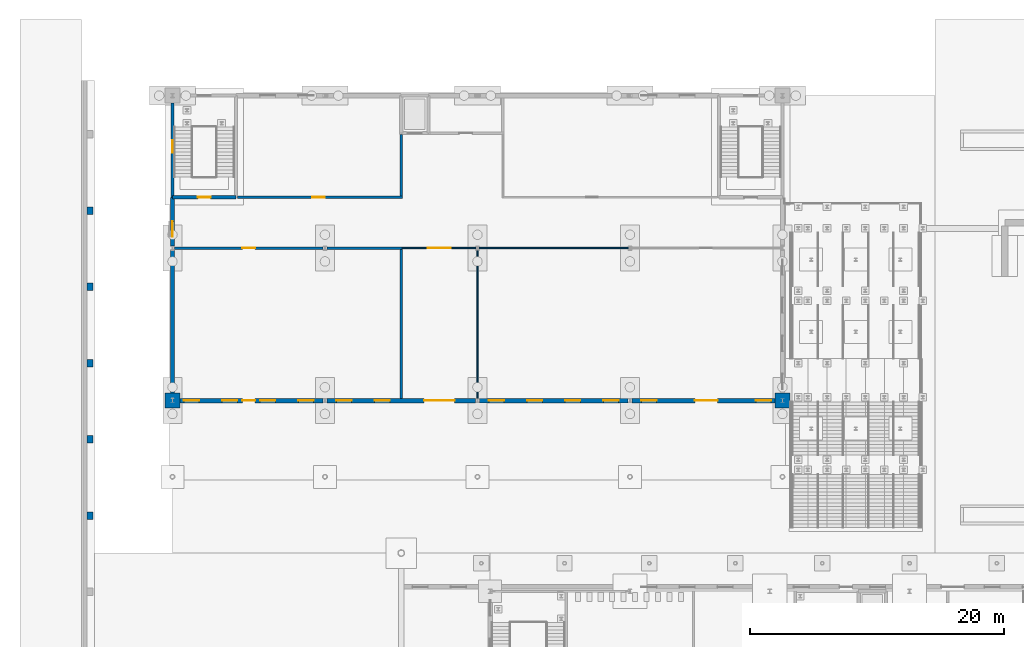
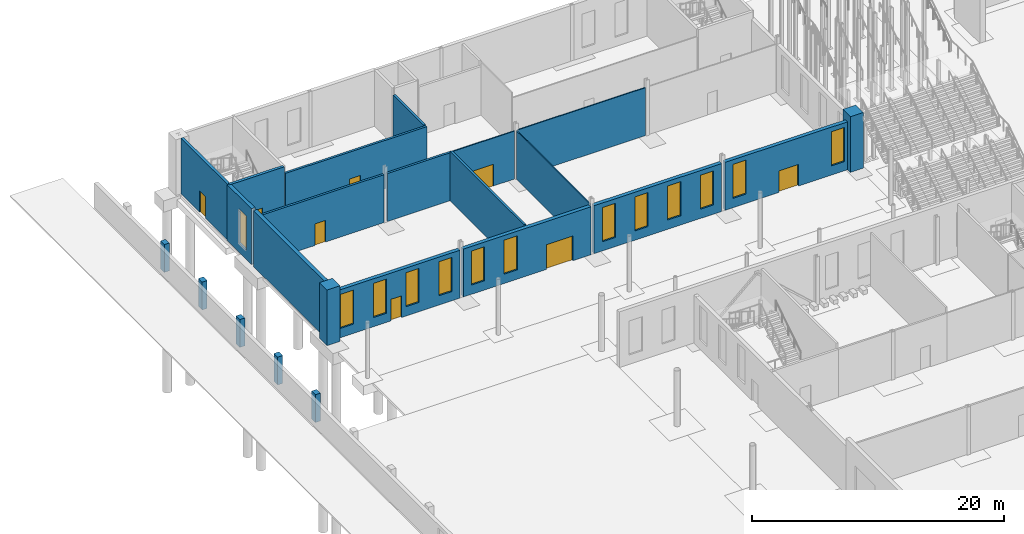
# One storey, part 74 of 132: 23 walls, 13 windows, 8 doors, 21 openings.
"""IFC4 building model written with IfcOpenShell, lengths in metres."""

from ifc_helpers import new_model, si_unit, direction, frame, frame_2d, origin, place, context, subcontext, project, spatial, rectangle, extrude, material, layer, layer_set, type_object, element, fill, save


model = new_model("IFC4")

# Units and contexts
model_context = context("Model", 3, precision=1e-05, world=origin(), true_north=direction((0.0, 1.0)))
body_context = subcontext(model_context, "Body", "Model", "MODEL_VIEW")
ifc_project = project(units=[si_unit("LENGTHUNIT", "METRE"), si_unit("AREAUNIT", "SQUARE_METRE"), si_unit("VOLUMEUNIT", "CUBIC_METRE"), si_unit("PLANEANGLEUNIT", "RADIAN"), si_unit("MASSUNIT", "GRAM", prefix="KILO")], contexts=[model_context])

# Site, building, storey
site_placement = place(None, origin())
site = spatial("IfcSite", under=ifc_project, at=site_placement, CompositionType="ELEMENT")
building_placement = place(site_placement, origin())
building = spatial("IfcBuilding", under=site, at=building_placement, Name="Ravi Spectrum Wholesale Market", CompositionType="ELEMENT")
storey_placement = place(building_placement, origin())
storey = spatial("IfcBuildingStorey", under=building, at=storey_placement, Name="L00", CompositionType="ELEMENT", Elevation=0.0)

# Wall, opening, door
ifc_material_1 = material(Name="Concrete blockwork", Category="masonry")
ifc_layer_1 = layer(ifc_material_1, 0.199951171875)
ifc_layer_set_1 = layer_set([ifc_layer_1], Name="Concrete blockwork")
wall_type_1 = type_object("IfcWallType", Name="Blockwork partition 200 fire", PredefinedType="PARTITIONING", material=ifc_layer_set_1)
wall_1_placement = place(storey_placement, frame((12.14990234375, 222.0, 0.0), z_axis=(0.0, 0.0, 1.0), x_axis=(1.0, 0.0, 0.0)))
wall_1 = element("IfcWall", 1, at=wall_1_placement, inside=storey, type_object=wall_type_1, Name="OF-WL-L00-026", PredefinedType="PARTITIONING", context=body_context, shape_type="SweptSolid", body=[
    extrude(rectangle(XDim=11.7001953125, YDim=0.199951171875, at=frame_2d((5.85009765625, 0.0))), origin(), (0.0, 0.0, 1.0), 4.64990234375),
])
opening_1_placement = place(wall_1_placement, frame((5.35009765625, 0.0, 0.0)))
opening_1 = element("IfcOpeningElement", 2, at=opening_1_placement, cuts=wall_1, Name="Opening D600", PredefinedType="OPENING", context=body_context, shape_type="SweptSolid", body=[
    extrude(rectangle(XDim=1.0, YDim=2.10009765625, at=frame_2d((0.5, 1.050048828125))), frame((0.0, 0.10986328125, 0.0), z_axis=(0.0, -1.0, 0.0), x_axis=(1.0, 0.0, 0.0)), (0.0, 0.0, 1.0), 0.219970703125),
])
ifc_material_2 = material(Name="Steel door", Category="steel")
door_type_1 = type_object("IfcDoorType", Name="Lobby door 1000 x 2100", OperationType="SINGLE_SWING_LEFT", PredefinedType="DOOR", material=ifc_material_2)
door_1_placement = place(opening_1_placement, origin())
door_1 = element("IfcDoor", 3, at=door_1_placement, inside=storey, type_object=door_type_1, Name="Door D600", OperationType="SINGLE_SWING_RIGHT", OverallHeight=2.10009765625, OverallWidth=1.0, PredefinedType="DOOR", context=body_context, shape_type="SweptSolid", body=[
    extrude(rectangle(XDim=1.0, YDim=2.10009765625, at=frame_2d((0.5, 1.050048828125))), frame((0.0, 0.02490234375, 0.0), z_axis=(0.0, -1.0, 0.0), x_axis=(1.0, 0.0, 0.0)), (0.0, 0.0, 1.0), 0.050048828125),
])
fill(opening_1, door_1)

# Wall
wall_2_placement = place(storey_placement, frame((24.14990234375, 222.0, 0.0), z_axis=(0.0, 0.0, 1.0), x_axis=(1.0, 0.0, 0.0)))
element("IfcWall", 4, at=wall_2_placement, inside=storey, type_object=wall_type_1, Name="OF-WL-L00-027", PredefinedType="PARTITIONING", context=body_context, shape_type="SweptSolid", body=[
    extrude(rectangle(XDim=5.9501953125, YDim=0.199951171875, at=frame_2d((2.97509765625, 0.0))), origin(), (0.0, 0.0, 1.0), 4.64990234375),
])

# Wall, opening, door
wall_3_placement = place(storey_placement, frame((17.125, 226.0, 0.0), z_axis=(0.0, 0.0, 1.0), x_axis=(1.0, 0.0, 0.0)))
wall_3 = element("IfcWall", 5, at=wall_3_placement, inside=storey, type_object=wall_type_1, Name="OF-WL-L00-031", PredefinedType="PARTITIONING", context=body_context, shape_type="SweptSolid", body=[
    extrude(rectangle(XDim=12.97509765625, YDim=0.199951171875, at=frame_2d((6.487548828125, 0.0))), origin(), (0.0, 0.0, 1.0), 4.699951171875),
])
opening_2_placement = place(wall_3_placement, frame((5.875, 0.0, 0.0)))
opening_2 = element("IfcOpeningElement", 6, at=opening_2_placement, cuts=wall_3, Name="Opening D606", PredefinedType="OPENING", context=body_context, shape_type="SweptSolid", body=[
    extrude(rectangle(XDim=1.0, YDim=2.10009765625, at=frame_2d((0.5, 1.050048828125))), frame((0.0, 0.10986328125, 0.0), z_axis=(0.0, -1.0, 0.0), x_axis=(1.0, 0.0, 0.0)), (0.0, 0.0, 1.0), 0.219970703125),
])
door_2_placement = place(opening_2_placement, origin())
door_2 = element("IfcDoor", 7, at=door_2_placement, inside=storey, type_object=door_type_1, Name="Door D606", OperationType="SINGLE_SWING_RIGHT", OverallHeight=2.10009765625, OverallWidth=1.0, PredefinedType="DOOR", context=body_context, shape_type="SweptSolid", body=[
    extrude(rectangle(XDim=1.0, YDim=2.10009765625, at=frame_2d((0.5, 1.050048828125))), frame((0.0, 0.02490234375, 0.0), z_axis=(0.0, -1.0, 0.0), x_axis=(1.0, 0.0, 0.0)), (0.0, 0.0, 1.0), 0.050048828125),
])
fill(opening_2, door_2)

# Walls
wall_4_placement = place(storey_placement, frame((30.0, 210.169921875, 0.0), z_axis=(0.0, 0.0, 1.0), x_axis=(0.0, 1.0, 0.0)))
element("IfcWall", 8, at=wall_4_placement, inside=storey, type_object=wall_type_1, Name="OF-WL-L00-034", PredefinedType="PARTITIONING", context=body_context, shape_type="SweptSolid", body=[
    extrude(rectangle(XDim=11.72998046875, YDim=0.199951171875, at=frame_2d((5.864990234375, 0.0))), origin(), (0.0, 0.0, 1.0), 4.7900390625),
])
wall_5_placement = place(storey_placement, frame((30.0, 226.10009765625, 0.0), z_axis=(0.0, 0.0, 1.0), x_axis=(0.0, 1.0, 0.0)))
element("IfcWall", 9, at=wall_5_placement, inside=storey, type_object=wall_type_1, Name="OF-WL-L00-035", PredefinedType="PARTITIONING", context=body_context, shape_type="SweptSolid", body=[
    extrude(rectangle(XDim=4.824951171875, YDim=0.199951171875, at=frame_2d((2.41259765625, 0.0))), origin(), (0.0, 0.0, 1.0), 4.7900390625),
])

# Wall, openings, door, windows
ifc_material_3 = material(Name="Clinker brickwork", Category="masonry")
ifc_layer_2 = layer(ifc_material_3, 0.340087890625)
ifc_layer_set_2 = layer_set([ifc_layer_2], Name="Clinker brickwork")
wall_type_2 = type_object("IfcWallType", Name="Brick 340 clinker", PredefinedType="SOLIDWALL", material=ifc_layer_set_2)
wall_6_placement = place(storey_placement, frame((12.60009765625, 210.0, 0.0), z_axis=(0.0, 0.0, 1.0), x_axis=(1.0, 0.0, 0.0)))
wall_6 = element("IfcWall", 10, at=wall_6_placement, inside=storey, type_object=wall_type_2, Name="OF-WL-L00-009", PredefinedType="SOLIDWALL", context=body_context, shape_type="SweptSolid", body=[
    extrude(rectangle(XDim=11.25, YDim=0.340087890625, at=frame_2d((5.625, 0.0))), origin(), (0.0, 0.0, 1.0), 4.64990234375),
])
opening_3_placement = place(wall_6_placement, frame((0.300048828125, 0.0, 0.89990234375)))
opening_3 = element("IfcOpeningElement", 11, at=opening_3_placement, cuts=wall_6, Name="Opening W3200", PredefinedType="OPENING", context=body_context, shape_type="SweptSolid", body=[
    extrude(rectangle(XDim=1.199951171875, YDim=3.300048828125, at=frame_2d((0.60009765625, 1.64990234375))), frame((0.0, 0.179931640625, 0.0), z_axis=(0.0, -1.0, 0.0), x_axis=(1.0, 0.0, 0.0)), (0.0, 0.0, 1.0), 0.360107421875),
])
opening_4_placement = place(wall_6_placement, frame((3.300048828125, 0.0, 0.89990234375)))
opening_4 = element("IfcOpeningElement", 12, at=opening_4_placement, cuts=wall_6, Name="Opening W3201", PredefinedType="OPENING", context=body_context, shape_type="SweptSolid", body=[
    extrude(rectangle(XDim=1.199951171875, YDim=3.300048828125, at=frame_2d((0.60009765625, 1.64990234375))), frame((0.0, 0.179931640625, 0.0), z_axis=(0.0, -1.0, 0.0), x_axis=(1.0, 0.0, 0.0)), (0.0, 0.0, 1.0), 0.360107421875),
])
opening_5_placement = place(wall_6_placement, frame((6.300048828125, 0.0, 0.89990234375)))
opening_5 = element("IfcOpeningElement", 13, at=opening_5_placement, cuts=wall_6, Name="Opening W3202", PredefinedType="OPENING", context=body_context, shape_type="SweptSolid", body=[
    extrude(rectangle(XDim=1.199951171875, YDim=3.300048828125, at=frame_2d((0.60009765625, 1.64990234375))), frame((0.0, 0.179931640625, 0.0), z_axis=(0.0, -1.0, 0.0), x_axis=(1.0, 0.0, 0.0)), (0.0, 0.0, 1.0), 0.360107421875),
])
opening_6_placement = place(wall_6_placement, frame((9.300048828125, 0.0, 0.89990234375)))
opening_6 = element("IfcOpeningElement", 14, at=opening_6_placement, cuts=wall_6, Name="Opening W3203", PredefinedType="OPENING", context=body_context, shape_type="SweptSolid", body=[
    extrude(rectangle(XDim=1.199951171875, YDim=3.300048828125, at=frame_2d((0.60009765625, 1.64990234375))), frame((0.0, 0.179931640625, 0.0), z_axis=(0.0, -1.0, 0.0), x_axis=(1.0, 0.0, 0.0)), (0.0, 0.0, 1.0), 0.360107421875),
])
opening_7_placement = place(wall_6_placement, frame((5.89990234375, 0.0, 0.0), z_axis=(0.0, 0.0, 1.0), x_axis=(-1.0, 0.0, 0.0)))
opening_7 = element("IfcOpeningElement", 15, at=opening_7_placement, cuts=wall_6, Name="Opening D601", PredefinedType="OPENING", context=body_context, shape_type="SweptSolid", body=[
    extrude(rectangle(XDim=1.0, YDim=2.10009765625, at=frame_2d((0.5, 1.050048828125))), frame((0.0, 0.179931640625, 0.0), z_axis=(0.0, -1.0, 0.0), x_axis=(1.0, 0.0, 0.0)), (0.0, 0.0, 1.0), 0.360107421875),
])
ifc_material_4 = material(Name="Steel door", Category="steel")
door_type_2 = type_object("IfcDoorType", Name="Pedestrian exit door 1000 x 2100", OperationType="SINGLE_SWING_LEFT", PredefinedType="DOOR", material=ifc_material_4)
door_3_placement = place(opening_7_placement, origin())
door_3 = element("IfcDoor", 16, at=door_3_placement, inside=storey, type_object=door_type_2, Name="Door D601", OperationType="SINGLE_SWING_RIGHT", OverallHeight=2.10009765625, OverallWidth=1.0, PredefinedType="DOOR", context=body_context, shape_type="SweptSolid", body=[
    extrude(rectangle(XDim=1.0, YDim=2.10009765625, at=frame_2d((0.5, 1.050048828125))), frame((0.0, 0.02490234375, 0.0), z_axis=(0.0, -1.0, 0.0), x_axis=(1.0, 0.0, 0.0)), (0.0, 0.0, 1.0), 0.050048828125),
])
fill(opening_7, door_3)
ifc_material_5 = material(Name="Steel window frame", Category="steel")
window_type_1 = type_object("IfcWindowType", Name="Tall pier window 1200 x 3300", PartitioningType="SINGLE_PANEL", PredefinedType="WINDOW", material=ifc_material_5)
window_1_placement = place(opening_3_placement, origin())
window_1 = element("IfcWindow", 17, at=window_1_placement, inside=storey, type_object=window_type_1, Name="Window W3200", OverallHeight=3.300048828125, OverallWidth=1.199951171875, PartitioningType="SINGLE_PANEL", PredefinedType="WINDOW", context=body_context, shape_type="SweptSolid", body=[
    extrude(rectangle(XDim=1.199951171875, YDim=3.300048828125, at=frame_2d((0.60009765625, 1.64990234375))), frame((0.0, 0.030029296875, 0.0), z_axis=(0.0, -1.0, 0.0), x_axis=(1.0, 0.0, 0.0)), (0.0, 0.0, 1.0), 0.06005859375),
])
fill(opening_3, window_1)
window_2_placement = place(opening_4_placement, origin())
window_2 = element("IfcWindow", 18, at=window_2_placement, inside=storey, type_object=window_type_1, Name="Window W3201", OverallHeight=3.300048828125, OverallWidth=1.199951171875, PartitioningType="SINGLE_PANEL", PredefinedType="WINDOW", context=body_context, shape_type="SweptSolid", body=[
    extrude(rectangle(XDim=1.199951171875, YDim=3.300048828125, at=frame_2d((0.60009765625, 1.64990234375))), frame((0.0, 0.030029296875, 0.0), z_axis=(0.0, -1.0, 0.0), x_axis=(1.0, 0.0, 0.0)), (0.0, 0.0, 1.0), 0.06005859375),
])
fill(opening_4, window_2)
window_3_placement = place(opening_5_placement, origin())
window_3 = element("IfcWindow", 19, at=window_3_placement, inside=storey, type_object=window_type_1, Name="Window W3202", OverallHeight=3.300048828125, OverallWidth=1.199951171875, PartitioningType="SINGLE_PANEL", PredefinedType="WINDOW", context=body_context, shape_type="SweptSolid", body=[
    extrude(rectangle(XDim=1.199951171875, YDim=3.300048828125, at=frame_2d((0.60009765625, 1.64990234375))), frame((0.0, 0.030029296875, 0.0), z_axis=(0.0, -1.0, 0.0), x_axis=(1.0, 0.0, 0.0)), (0.0, 0.0, 1.0), 0.06005859375),
])
fill(opening_5, window_3)
window_4_placement = place(opening_6_placement, origin())
window_4 = element("IfcWindow", 20, at=window_4_placement, inside=storey, type_object=window_type_1, Name="Window W3203", OverallHeight=3.300048828125, OverallWidth=1.199951171875, PartitioningType="SINGLE_PANEL", PredefinedType="WINDOW", context=body_context, shape_type="SweptSolid", body=[
    extrude(rectangle(XDim=1.199951171875, YDim=3.300048828125, at=frame_2d((0.60009765625, 1.64990234375))), frame((0.0, 0.030029296875, 0.0), z_axis=(0.0, -1.0, 0.0), x_axis=(1.0, 0.0, 0.0)), (0.0, 0.0, 1.0), 0.06005859375),
])
fill(opening_6, window_4)

wall_7_placement = place(storey_placement, frame((24.14990234375, 210.0, 0.0), z_axis=(0.0, 0.0, 1.0), x_axis=(1.0, 0.0, 0.0)))
wall_7 = element("IfcWall", 21, at=wall_7_placement, inside=storey, type_object=wall_type_2, Name="OF-WL-L00-010", PredefinedType="SOLIDWALL", context=body_context, shape_type="SweptSolid", body=[
    extrude(rectangle(XDim=11.7001953125, YDim=0.340087890625, at=frame_2d((5.85009765625, 0.0))), origin(), (0.0, 0.0, 1.0), 4.64990234375),
])
opening_8_placement = place(wall_7_placement, frame((0.75, 0.0, 0.89990234375)))
opening_8 = element("IfcOpeningElement", 22, at=opening_8_placement, cuts=wall_7, Name="Opening W3204", PredefinedType="OPENING", context=body_context, shape_type="SweptSolid", body=[
    extrude(rectangle(XDim=1.199951171875, YDim=3.300048828125, at=frame_2d((0.60009765625, 1.64990234375))), frame((0.0, 0.179931640625, 0.0), z_axis=(0.0, -1.0, 0.0), x_axis=(1.0, 0.0, 0.0)), (0.0, 0.0, 1.0), 0.360107421875),
])
opening_9_placement = place(wall_7_placement, frame((3.75, 0.0, 0.89990234375)))
opening_9 = element("IfcOpeningElement", 23, at=opening_9_placement, cuts=wall_7, Name="Opening W3205", PredefinedType="OPENING", context=body_context, shape_type="SweptSolid", body=[
    extrude(rectangle(XDim=1.199951171875, YDim=3.300048828125, at=frame_2d((0.60009765625, 1.64990234375))), frame((0.0, 0.179931640625, 0.0), z_axis=(0.0, -1.0, 0.0), x_axis=(1.0, 0.0, 0.0)), (0.0, 0.0, 1.0), 0.360107421875),
])
opening_10_placement = place(wall_7_placement, frame((7.64990234375, 0.0, 0.0)))
opening_10 = element("IfcOpeningElement", 24, at=opening_10_placement, cuts=wall_7, Name="Opening D604", PredefinedType="OPENING", context=body_context, shape_type="SweptSolid", body=[
    extrude(rectangle(XDim=2.39990234375, YDim=2.39990234375, at=frame_2d((1.199951171875, 1.199951171875))), frame((0.0, 0.179931640625, 0.0), z_axis=(0.0, -1.0, 0.0), x_axis=(1.0, 0.0, 0.0)), (0.0, 0.0, 1.0), 0.360107421875),
])
ifc_material_6 = material(Name="Aluminium glazed door", Category="aluminium")
door_type_3 = type_object("IfcDoorType", Name="Hall entrance sliding door 2400 x 2400", OperationType="SLIDING_TO_LEFT", PredefinedType="DOOR", material=ifc_material_6)
door_4_placement = place(opening_10_placement, origin())
door_4 = element("IfcDoor", 25, at=door_4_placement, inside=storey, type_object=door_type_3, Name="Door D604", OperationType="SLIDING_TO_LEFT", OverallHeight=2.39990234375, OverallWidth=2.39990234375, PredefinedType="DOOR", context=body_context, shape_type="SweptSolid", body=[
    extrude(rectangle(XDim=2.39990234375, YDim=2.39990234375, at=frame_2d((1.199951171875, 1.199951171875))), frame((0.0, 0.02490234375, 0.0), z_axis=(0.0, -1.0, 0.0), x_axis=(1.0, 0.0, 0.0)), (0.0, 0.0, 1.0), 0.050048828125),
])
fill(opening_10, door_4)
window_5_placement = place(opening_8_placement, origin())
window_5 = element("IfcWindow", 26, at=window_5_placement, inside=storey, type_object=window_type_1, Name="Window W3204", OverallHeight=3.300048828125, OverallWidth=1.199951171875, PartitioningType="SINGLE_PANEL", PredefinedType="WINDOW", context=body_context, shape_type="SweptSolid", body=[
    extrude(rectangle(XDim=1.199951171875, YDim=3.300048828125, at=frame_2d((0.60009765625, 1.64990234375))), frame((0.0, 0.030029296875, 0.0), z_axis=(0.0, -1.0, 0.0), x_axis=(1.0, 0.0, 0.0)), (0.0, 0.0, 1.0), 0.06005859375),
])
fill(opening_8, window_5)
window_6_placement = place(opening_9_placement, origin())
window_6 = element("IfcWindow", 27, at=window_6_placement, inside=storey, type_object=window_type_1, Name="Window W3205", OverallHeight=3.300048828125, OverallWidth=1.199951171875, PartitioningType="SINGLE_PANEL", PredefinedType="WINDOW", context=body_context, shape_type="SweptSolid", body=[
    extrude(rectangle(XDim=1.199951171875, YDim=3.300048828125, at=frame_2d((0.60009765625, 1.64990234375))), frame((0.0, 0.030029296875, 0.0), z_axis=(0.0, -1.0, 0.0), x_axis=(1.0, 0.0, 0.0)), (0.0, 0.0, 1.0), 0.06005859375),
])
fill(opening_9, window_6)

# Wall, openings, windows
wall_8_placement = place(storey_placement, frame((36.14990234375, 210.0, 0.0), z_axis=(0.0, 0.0, 1.0), x_axis=(1.0, 0.0, 0.0)))
wall_8 = element("IfcWall", 28, at=wall_8_placement, inside=storey, type_object=wall_type_2, Name="OF-WL-L00-011", PredefinedType="SOLIDWALL", context=body_context, shape_type="SweptSolid", body=[
    extrude(rectangle(XDim=11.7001953125, YDim=0.340087890625, at=frame_2d((5.85009765625, 0.0))), origin(), (0.0, 0.0, 1.0), 4.64990234375),
])
opening_11_placement = place(wall_8_placement, frame((0.75, 0.0, 0.89990234375)))
opening_11 = element("IfcOpeningElement", 29, at=opening_11_placement, cuts=wall_8, Name="Opening W3206", PredefinedType="OPENING", context=body_context, shape_type="SweptSolid", body=[
    extrude(rectangle(XDim=1.199951171875, YDim=3.300048828125, at=frame_2d((0.60009765625, 1.64990234375))), frame((0.0, 0.179931640625, 0.0), z_axis=(0.0, -1.0, 0.0), x_axis=(1.0, 0.0, 0.0)), (0.0, 0.0, 1.0), 0.360107421875),
])
opening_12_placement = place(wall_8_placement, frame((3.75, 0.0, 0.89990234375)))
opening_12 = element("IfcOpeningElement", 30, at=opening_12_placement, cuts=wall_8, Name="Opening W3207", PredefinedType="OPENING", context=body_context, shape_type="SweptSolid", body=[
    extrude(rectangle(XDim=1.199951171875, YDim=3.300048828125, at=frame_2d((0.60009765625, 1.64990234375))), frame((0.0, 0.179931640625, 0.0), z_axis=(0.0, -1.0, 0.0), x_axis=(1.0, 0.0, 0.0)), (0.0, 0.0, 1.0), 0.360107421875),
])
opening_13_placement = place(wall_8_placement, frame((6.75, 0.0, 0.89990234375)))
opening_13 = element("IfcOpeningElement", 31, at=opening_13_placement, cuts=wall_8, Name="Opening W3208", PredefinedType="OPENING", context=body_context, shape_type="SweptSolid", body=[
    extrude(rectangle(XDim=1.199951171875, YDim=3.300048828125, at=frame_2d((0.60009765625, 1.64990234375))), frame((0.0, 0.179931640625, 0.0), z_axis=(0.0, -1.0, 0.0), x_axis=(1.0, 0.0, 0.0)), (0.0, 0.0, 1.0), 0.360107421875),
])
opening_14_placement = place(wall_8_placement, frame((9.75, 0.0, 0.89990234375)))
opening_14 = element("IfcOpeningElement", 32, at=opening_14_placement, cuts=wall_8, Name="Opening W3209", PredefinedType="OPENING", context=body_context, shape_type="SweptSolid", body=[
    extrude(rectangle(XDim=1.199951171875, YDim=3.300048828125, at=frame_2d((0.60009765625, 1.64990234375))), frame((0.0, 0.179931640625, 0.0), z_axis=(0.0, -1.0, 0.0), x_axis=(1.0, 0.0, 0.0)), (0.0, 0.0, 1.0), 0.360107421875),
])
window_7_placement = place(opening_11_placement, origin())
window_7 = element("IfcWindow", 33, at=window_7_placement, inside=storey, type_object=window_type_1, Name="Window W3206", OverallHeight=3.300048828125, OverallWidth=1.199951171875, PartitioningType="SINGLE_PANEL", PredefinedType="WINDOW", context=body_context, shape_type="SweptSolid", body=[
    extrude(rectangle(XDim=1.199951171875, YDim=3.300048828125, at=frame_2d((0.60009765625, 1.64990234375))), frame((0.0, 0.030029296875, 0.0), z_axis=(0.0, -1.0, 0.0), x_axis=(1.0, 0.0, 0.0)), (0.0, 0.0, 1.0), 0.06005859375),
])
fill(opening_11, window_7)
window_8_placement = place(opening_12_placement, origin())
window_8 = element("IfcWindow", 34, at=window_8_placement, inside=storey, type_object=window_type_1, Name="Window W3207", OverallHeight=3.300048828125, OverallWidth=1.199951171875, PartitioningType="SINGLE_PANEL", PredefinedType="WINDOW", context=body_context, shape_type="SweptSolid", body=[
    extrude(rectangle(XDim=1.199951171875, YDim=3.300048828125, at=frame_2d((0.60009765625, 1.64990234375))), frame((0.0, 0.030029296875, 0.0), z_axis=(0.0, -1.0, 0.0), x_axis=(1.0, 0.0, 0.0)), (0.0, 0.0, 1.0), 0.06005859375),
])
fill(opening_12, window_8)
window_9_placement = place(opening_13_placement, origin())
window_9 = element("IfcWindow", 35, at=window_9_placement, inside=storey, type_object=window_type_1, Name="Window W3208", OverallHeight=3.300048828125, OverallWidth=1.199951171875, PartitioningType="SINGLE_PANEL", PredefinedType="WINDOW", context=body_context, shape_type="SweptSolid", body=[
    extrude(rectangle(XDim=1.199951171875, YDim=3.300048828125, at=frame_2d((0.60009765625, 1.64990234375))), frame((0.0, 0.030029296875, 0.0), z_axis=(0.0, -1.0, 0.0), x_axis=(1.0, 0.0, 0.0)), (0.0, 0.0, 1.0), 0.06005859375),
])
fill(opening_13, window_9)
window_10_placement = place(opening_14_placement, origin())
window_10 = element("IfcWindow", 36, at=window_10_placement, inside=storey, type_object=window_type_1, Name="Window W3209", OverallHeight=3.300048828125, OverallWidth=1.199951171875, PartitioningType="SINGLE_PANEL", PredefinedType="WINDOW", context=body_context, shape_type="SweptSolid", body=[
    extrude(rectangle(XDim=1.199951171875, YDim=3.300048828125, at=frame_2d((0.60009765625, 1.64990234375))), frame((0.0, 0.030029296875, 0.0), z_axis=(0.0, -1.0, 0.0), x_axis=(1.0, 0.0, 0.0)), (0.0, 0.0, 1.0), 0.06005859375),
])
fill(opening_14, window_10)

# Wall, openings, door, windows
wall_9_placement = place(storey_placement, frame((48.14990234375, 210.0, 0.0), z_axis=(0.0, 0.0, 1.0), x_axis=(1.0, 0.0, 0.0)))
wall_9 = element("IfcWall", 37, at=wall_9_placement, inside=storey, type_object=wall_type_2, Name="OF-WL-L00-012", PredefinedType="SOLIDWALL", context=body_context, shape_type="SweptSolid", body=[
    extrude(rectangle(XDim=11.25, YDim=0.340087890625, at=frame_2d((5.625, 0.0))), origin(), (0.0, 0.0, 1.0), 4.64990234375),
])
opening_15_placement = place(wall_9_placement, frame((0.75, 0.0, 0.89990234375)))
opening_15 = element("IfcOpeningElement", 38, at=opening_15_placement, cuts=wall_9, Name="Opening W3210", PredefinedType="OPENING", context=body_context, shape_type="SweptSolid", body=[
    extrude(rectangle(XDim=1.199951171875, YDim=3.300048828125, at=frame_2d((0.60009765625, 1.64990234375))), frame((0.0, 0.179931640625, 0.0), z_axis=(0.0, -1.0, 0.0), x_axis=(1.0, 0.0, 0.0)), (0.0, 0.0, 1.0), 0.360107421875),
])
opening_16_placement = place(wall_9_placement, frame((9.75, 0.0, 0.89990234375)))
opening_16 = element("IfcOpeningElement", 39, at=opening_16_placement, cuts=wall_9, Name="Opening W3211", PredefinedType="OPENING", context=body_context, shape_type="SweptSolid", body=[
    extrude(rectangle(XDim=1.199951171875, YDim=3.300048828125, at=frame_2d((0.60009765625, 1.64990234375))), frame((0.0, 0.179931640625, 0.0), z_axis=(0.0, -1.0, 0.0), x_axis=(1.0, 0.0, 0.0)), (0.0, 0.0, 1.0), 0.360107421875),
])
opening_17_placement = place(wall_9_placement, frame((4.949951171875, 0.0, 0.0)))
opening_17 = element("IfcOpeningElement", 40, at=opening_17_placement, cuts=wall_9, Name="Opening D603", PredefinedType="OPENING", context=body_context, shape_type="SweptSolid", body=[
    extrude(rectangle(XDim=1.800048828125, YDim=2.10009765625, at=frame_2d((0.89990234375, 1.050048828125))), frame((0.0, 0.179931640625, 0.0), z_axis=(0.0, -1.0, 0.0), x_axis=(1.0, 0.0, 0.0)), (0.0, 0.0, 1.0), 0.360107421875),
])
ifc_material_7 = material(Name="Steel door", Category="steel")
door_type_4 = type_object("IfcDoorType", Name="Double leaf door 1800 x 2100", OperationType="DOUBLE_DOOR_SINGLE_SWING", PredefinedType="DOOR", material=ifc_material_7)
door_5_placement = place(opening_17_placement, origin())
door_5 = element("IfcDoor", 41, at=door_5_placement, inside=storey, type_object=door_type_4, Name="Door D603", OperationType="DOUBLE_DOOR_SINGLE_SWING", OverallHeight=2.10009765625, OverallWidth=1.800048828125, PredefinedType="DOOR", context=body_context, shape_type="SweptSolid", body=[
    extrude(rectangle(XDim=1.800048828125, YDim=2.10009765625, at=frame_2d((0.89990234375, 1.050048828125))), frame((0.0, 0.02490234375, 0.0), z_axis=(0.0, -1.0, 0.0), x_axis=(1.0, 0.0, 0.0)), (0.0, 0.0, 1.0), 0.050048828125),
])
fill(opening_17, door_5)
window_11_placement = place(opening_15_placement, origin())
window_11 = element("IfcWindow", 42, at=window_11_placement, inside=storey, type_object=window_type_1, Name="Window W3210", OverallHeight=3.300048828125, OverallWidth=1.199951171875, PartitioningType="SINGLE_PANEL", PredefinedType="WINDOW", context=body_context, shape_type="SweptSolid", body=[
    extrude(rectangle(XDim=1.199951171875, YDim=3.300048828125, at=frame_2d((0.60009765625, 1.64990234375))), frame((0.0, 0.030029296875, 0.0), z_axis=(0.0, -1.0, 0.0), x_axis=(1.0, 0.0, 0.0)), (0.0, 0.0, 1.0), 0.06005859375),
])
fill(opening_15, window_11)
window_12_placement = place(opening_16_placement, origin())
window_12 = element("IfcWindow", 43, at=window_12_placement, inside=storey, type_object=window_type_1, Name="Window W3211", OverallHeight=3.300048828125, OverallWidth=1.199951171875, PartitioningType="SINGLE_PANEL", PredefinedType="WINDOW", context=body_context, shape_type="SweptSolid", body=[
    extrude(rectangle(XDim=1.199951171875, YDim=3.300048828125, at=frame_2d((0.60009765625, 1.64990234375))), frame((0.0, 0.030029296875, 0.0), z_axis=(0.0, -1.0, 0.0), x_axis=(1.0, 0.0, 0.0)), (0.0, 0.0, 1.0), 0.06005859375),
])
fill(opening_16, window_12)

# Wall
wall_10_placement = place(storey_placement, frame((12.0, 210.60009765625, 0.0), z_axis=(0.0, 0.0, 1.0), x_axis=(0.0, 1.0, 0.0)))
element("IfcWall", 44, at=wall_10_placement, inside=storey, type_object=wall_type_2, Name="OF-WL-L00-018", PredefinedType="SOLIDWALL", context=body_context, shape_type="SweptSolid", body=[
    extrude(rectangle(XDim=11.25, YDim=0.340087890625, at=frame_2d((5.625, 0.0))), origin(), (0.0, 0.0, 1.0), 5.39990234375),
])

# Wall, opening, window
wall_11_placement = place(storey_placement, frame((12.0, 222.14990234375, 0.0), z_axis=(0.0, 0.0, 1.0), x_axis=(0.0, 1.0, 0.0)))
wall_11 = element("IfcWall", 45, at=wall_11_placement, inside=storey, type_object=wall_type_2, Name="OF-WL-L00-019", PredefinedType="SOLIDWALL", context=body_context, shape_type="SweptSolid", body=[
    extrude(rectangle(XDim=3.85009765625, YDim=0.340087890625, at=frame_2d((1.925048828125, 0.0))), origin(), (0.0, 0.0, 1.0), 5.39990234375),
])
opening_18_placement = place(wall_11_placement, frame((0.75, 0.0, 0.89990234375)))
opening_18 = element("IfcOpeningElement", 46, at=opening_18_placement, cuts=wall_11, Name="Opening W3216", PredefinedType="OPENING", context=body_context, shape_type="SweptSolid", body=[
    extrude(rectangle(XDim=1.199951171875, YDim=3.300048828125, at=frame_2d((0.60009765625, 1.64990234375))), frame((0.0, 0.179931640625, 0.0), z_axis=(0.0, -1.0, 0.0), x_axis=(1.0, 0.0, 0.0)), (0.0, 0.0, 1.0), 0.360107421875),
])
ifc_material_8 = material(Name="Steel window frame", Category="steel")
window_type_2 = type_object("IfcWindowType", Name="Tall pier window with jali 1200 x 3300", PartitioningType="SINGLE_PANEL", PredefinedType="WINDOW", material=ifc_material_8)
window_13_placement = place(opening_18_placement, origin())
window_13 = element("IfcWindow", 47, at=window_13_placement, inside=storey, type_object=window_type_2, Name="Window W3216", OverallHeight=3.300048828125, OverallWidth=1.199951171875, PartitioningType="SINGLE_PANEL", PredefinedType="WINDOW", context=body_context, shape_type="SweptSolid", body=[
    extrude(rectangle(XDim=1.199951171875, YDim=3.300048828125, at=frame_2d((0.60009765625, 1.64990234375))), frame((0.0, 0.030029296875, 0.0), z_axis=(0.0, -1.0, 0.0), x_axis=(1.0, 0.0, 0.0)), (0.0, 0.0, 1.0), 0.06005859375),
])
fill(opening_18, window_13)

# Walls
ifc_material_9 = material(Name="Clinker brickwork", Category="masonry")
ifc_layer_3 = layer(ifc_material_9, 0.4599609375)
ifc_layer_set_3 = layer_set([ifc_layer_3], Name="Clinker brickwork")
wall_type_3 = type_object("IfcWallType", Name="Brick 460 pier wall", PredefinedType="SOLIDWALL", material=ifc_layer_set_3)
for number, where, z_axis, x_axis, name in (
    (48, (5.52001953125, 200.64990234375, 0.0), (0.0, 0.0, 1.0), (0.0, 1.0, 0.0), "ST-WL-L00-032"),
    (49, (5.52001953125, 206.64990234375, 0.0), (0.0, 0.0, 1.0), (0.0, 1.0, 0.0), "ST-WL-L00-033"),
    (50, (5.52001953125, 212.64990234375, 0.0), (0.0, 0.0, 1.0), (0.0, 1.0, 0.0), "ST-WL-L00-034"),
    (51, (5.52001953125, 218.64990234375, 0.0), (0.0, 0.0, 1.0), (0.0, 1.0, 0.0), "ST-WL-L00-035"),
    (52, (5.52001953125, 224.64990234375, 0.0), (0.0, 0.0, 1.0), (0.0, 1.0, 0.0), "ST-WL-L00-036"),
):
    element("IfcWall", number, at=place(storey_placement, frame(where, z_axis=z_axis, x_axis=x_axis)), inside=storey, type_object=wall_type_3, Name=name, PredefinedType="SOLIDWALL", context=body_context, shape_type="SweptSolid", body=[
        extrude(rectangle(XDim=0.60009765625, YDim=0.4599609375, at=frame_2d((0.300048828125, 0.0))), origin(), (0.0, 0.0, 1.0), 2.699951171875),
    ])
ifc_material_10 = material(Name="Clinker brickwork", Category="masonry")
ifc_layer_4 = layer(ifc_material_10, 1.199951171875)
ifc_layer_set_4 = layer_set([ifc_layer_4], Name="Clinker brickwork")
wall_type_4 = type_object("IfcWallType", Name="Brick corner pier 1200", PredefinedType="SOLIDWALL", material=ifc_layer_set_4)
for number, where, z_axis, x_axis, name in (
    (53, (11.39990234375, 210.0, 0.0), (0.0, 0.0, 1.0), (1.0, 0.0, 0.0), "Corner pier"),
    (54, (59.39990234375, 210.0, 0.0), (0.0, 0.0, 1.0), (1.0, 0.0, 0.0), "Corner pier"),
):
    element("IfcWall", number, at=place(storey_placement, frame(where, z_axis=z_axis, x_axis=x_axis)), inside=storey, type_object=wall_type_4, Name=name, PredefinedType="SOLIDWALL", context=body_context, shape_type="SweptSolid", body=[
        extrude(rectangle(XDim=1.2001953125, YDim=1.199951171875, at=frame_2d((0.60009765625, 0.0))), origin(), (0.0, 0.0, 1.0), 5.39990234375),
    ])

# Wall, opening, door
ifc_material_11 = material(Name="Concrete C35/45", Category="concrete")
ifc_layer_5 = layer(ifc_material_11, 0.25)
ifc_layer_set_5 = layer_set([ifc_layer_5], Name="Concrete C35/45")
wall_type_5 = type_object("IfcWallType", Name="Concrete core wall 250", PredefinedType="SHEAR", material=ifc_layer_set_5)
wall_12_placement = place(storey_placement, frame((12.0, 226.0, 0.0), z_axis=(0.0, 0.0, 1.0), x_axis=(1.0, 0.0, 0.0)))
wall_12 = element("IfcWall", 55, at=wall_12_placement, inside=storey, type_object=wall_type_5, Name="Stair core wall Stair S-OF-1", PredefinedType="SHEAR", context=body_context, shape_type="SweptSolid", body=[
    extrude(rectangle(XDim=5.0, YDim=0.25, at=frame_2d((2.5, 0.0))), origin(), (0.0, 0.0, 1.0), 5.39990234375),
])
opening_19_placement = place(wall_12_placement, frame((2.0, 0.0, 0.0)))
opening_19 = element("IfcOpeningElement", 56, at=opening_19_placement, cuts=wall_12, Name="Opening D608", PredefinedType="OPENING", context=body_context, shape_type="SweptSolid", body=[
    extrude(rectangle(XDim=1.0, YDim=2.10009765625, at=frame_2d((0.5, 1.050048828125))), frame((0.0, 0.135009765625, 0.0), z_axis=(0.0, -1.0, 0.0), x_axis=(1.0, 0.0, 0.0)), (0.0, 0.0, 1.0), 0.27001953125),
])
ifc_material_12 = material(Name="Steel door", Category="steel")
door_type_5 = type_object("IfcDoorType", Name="Stair door 1000 x 2100", OperationType="SINGLE_SWING_LEFT", PredefinedType="DOOR", material=ifc_material_12)
door_6_placement = place(opening_19_placement, origin())
door_6 = element("IfcDoor", 57, at=door_6_placement, inside=storey, type_object=door_type_5, Name="Door D608", OperationType="SINGLE_SWING_RIGHT", OverallHeight=2.10009765625, OverallWidth=1.0, PredefinedType="DOOR", context=body_context, shape_type="SweptSolid", body=[
    extrude(rectangle(XDim=1.0, YDim=2.10009765625, at=frame_2d((0.5, 1.050048828125))), frame((0.0, 0.02490234375, 0.0), z_axis=(0.0, -1.0, 0.0), x_axis=(1.0, 0.0, 0.0)), (0.0, 0.0, 1.0), 0.050048828125),
])
fill(opening_19, door_6)

wall_13_placement = place(storey_placement, frame((12.0, 226.0, 0.0), z_axis=(0.0, 0.0, 1.0), x_axis=(0.0, 1.0, 0.0)))
wall_13 = element("IfcWall", 58, at=wall_13_placement, inside=storey, type_object=wall_type_5, Name="Stair core wall Stair S-OF-1", PredefinedType="SHEAR", context=body_context, shape_type="SweptSolid", body=[
    extrude(rectangle(XDim=7.39990234375, YDim=0.25, at=frame_2d((3.699951171875, 0.0))), origin(), (0.0, 0.0, 1.0), 5.39990234375),
])
opening_20_placement = place(wall_13_placement, frame((3.5, 0.0, 0.0)))
opening_20 = element("IfcOpeningElement", 59, at=opening_20_placement, cuts=wall_13, Name="Opening D611", PredefinedType="OPENING", context=body_context, shape_type="SweptSolid", body=[
    extrude(rectangle(XDim=1.0, YDim=2.10009765625, at=frame_2d((0.5, 1.050048828125))), frame((0.0, 0.135009765625, 0.0), z_axis=(0.0, -1.0, 0.0), x_axis=(1.0, 0.0, 0.0)), (0.0, 0.0, 1.0), 0.27001953125),
])
door_7_placement = place(opening_20_placement, origin())
door_7 = element("IfcDoor", 60, at=door_7_placement, inside=storey, type_object=door_type_2, Name="Door D611", OperationType="SINGLE_SWING_LEFT", OverallHeight=2.10009765625, OverallWidth=1.0, PredefinedType="DOOR", context=body_context, shape_type="SweptSolid", body=[
    extrude(rectangle(XDim=1.0, YDim=2.10009765625, at=frame_2d((0.5, 1.050048828125))), frame((0.0, 0.02490234375, 0.0), z_axis=(0.0, -1.0, 0.0), x_axis=(1.0, 0.0, 0.0)), (0.0, 0.0, 1.0), 0.050048828125),
])
fill(opening_20, door_7)

ifc_material_13 = material(Name="Gypsum board partition")
ifc_layer_6 = layer(ifc_material_13, 0.10009765625)
ifc_layer_set_6 = layer_set([ifc_layer_6], Name="Gypsum board partition")
wall_type_6 = type_object("IfcWallType", Name="Drywall partition 100", PredefinedType="PARTITIONING", material=ifc_layer_set_6)
wall_14_placement = place(storey_placement, frame((30.10009765625, 222.0, 0.0), z_axis=(0.0, 0.0, 1.0), x_axis=(1.0, 0.0, 0.0)))
wall_14 = element("IfcWall", 61, at=wall_14_placement, inside=storey, type_object=wall_type_6, Name="OF-WL-L00-028", PredefinedType="PARTITIONING", context=body_context, shape_type="SweptSolid", body=[
    extrude(rectangle(XDim=5.75, YDim=0.10009765625, at=frame_2d((2.875, 0.0))), origin(), (0.0, 0.0, 1.0), 4.64990234375),
])
opening_21_placement = place(wall_14_placement, frame((2.0, 0.0, 0.0)))
opening_21 = element("IfcOpeningElement", 62, at=opening_21_placement, cuts=wall_14, Name="Opening D605", PredefinedType="OPENING", context=body_context, shape_type="SweptSolid", body=[
    extrude(rectangle(XDim=1.800048828125, YDim=2.10009765625, at=frame_2d((0.89990234375, 1.050048828125))), frame((0.0, 0.06005859375, 0.0), z_axis=(0.0, -1.0, 0.0), x_axis=(1.0, 0.0, 0.0)), (0.0, 0.0, 1.0), 0.1201171875),
])
door_8_placement = place(opening_21_placement, origin())
door_8 = element("IfcDoor", 63, at=door_8_placement, inside=storey, type_object=door_type_4, Name="Door D605", OperationType="DOUBLE_DOOR_SINGLE_SWING", OverallHeight=2.10009765625, OverallWidth=1.800048828125, PredefinedType="DOOR", context=body_context, shape_type="SweptSolid", body=[
    extrude(rectangle(XDim=1.800048828125, YDim=2.10009765625, at=frame_2d((0.89990234375, 1.050048828125))), frame((0.0, 0.02490234375, 0.0), z_axis=(0.0, -1.0, 0.0), x_axis=(1.0, 0.0, 0.0)), (0.0, 0.0, 1.0), 0.050048828125),
])
fill(opening_21, door_8)

# Walls
wall_15_placement = place(storey_placement, frame((36.14990234375, 222.0, 0.0), z_axis=(0.0, 0.0, 1.0), x_axis=(1.0, 0.0, 0.0)))
element("IfcWall", 64, at=wall_15_placement, inside=storey, type_object=wall_type_6, Name="OF-WL-L00-029", PredefinedType="PARTITIONING", context=body_context, shape_type="SweptSolid", body=[
    extrude(rectangle(XDim=11.7001953125, YDim=0.10009765625, at=frame_2d((5.85009765625, 0.0))), origin(), (0.0, 0.0, 1.0), 4.64990234375),
])
wall_16_placement = place(storey_placement, frame((36.0, 210.14990234375, 0.0), z_axis=(0.0, 0.0, 1.0), x_axis=(0.0, 1.0, 0.0)))
element("IfcWall", 65, at=wall_16_placement, inside=storey, type_object=wall_type_6, Name="OF-WL-L00-036", PredefinedType="PARTITIONING", context=body_context, shape_type="SweptSolid", body=[
    extrude(rectangle(XDim=11.7001953125, YDim=0.10009765625, at=frame_2d((5.85009765625, 0.0))), origin(), (0.0, 0.0, 1.0), 4.699951171875),
])

save(model, "model.ifc")
